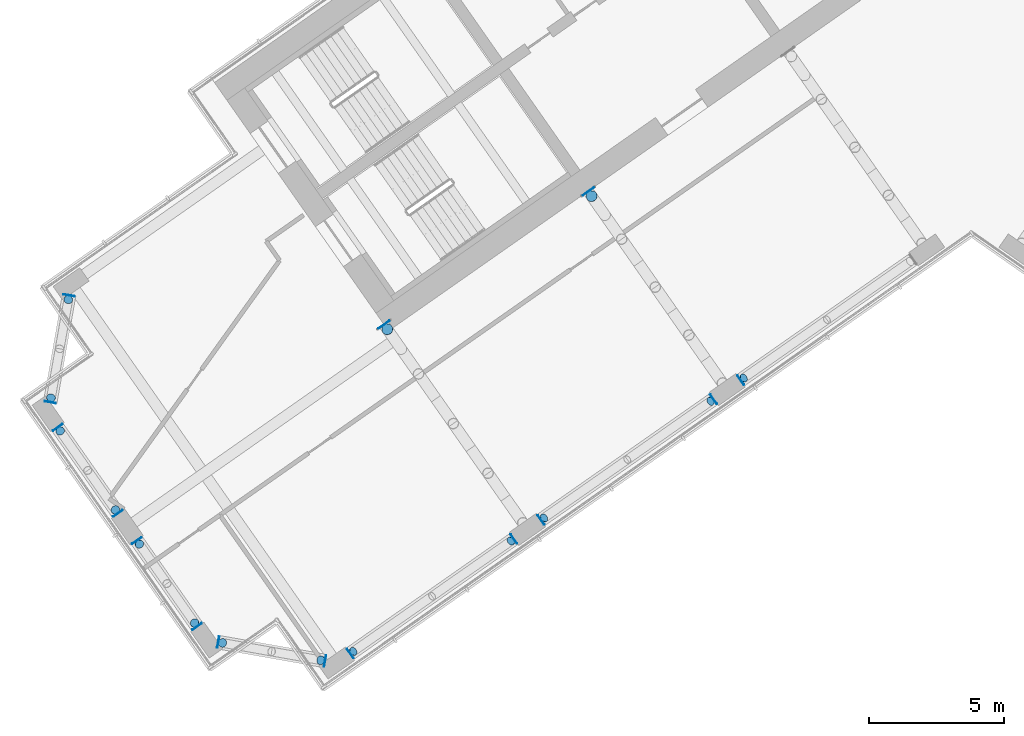
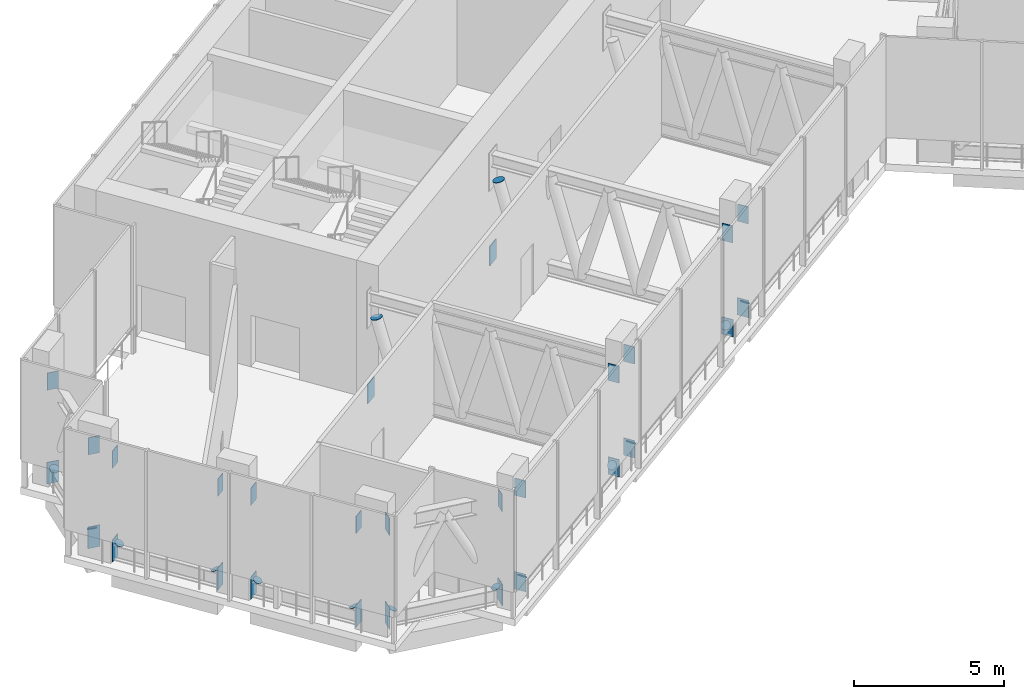
# One storey, part 9 of 19: 43 discrete accessories.
"""IFC4 building model written with IfcOpenShell, lengths in metres."""

from ifc_helpers import new_model, si_unit, direction, frame, origin, origin_2d, place, context, subcontext, project, spatial, rectangle, circle, extrude, material, layer, layer_set, material_profile, profile_set, type_object, element, save


model = new_model("IFC4")

# Units and contexts
model_context = context("Model", 3, precision=1e-05, world=origin(), true_north=direction((0.0, 1.0)))
body_context = subcontext(model_context, "Body", "Model", "MODEL_VIEW")
ifc_project = project(units=[si_unit("LENGTHUNIT", "METRE"), si_unit("AREAUNIT", "SQUARE_METRE"), si_unit("VOLUMEUNIT", "CUBIC_METRE"), si_unit("PLANEANGLEUNIT", "RADIAN"), si_unit("MASSUNIT", "GRAM", prefix="KILO")], contexts=[model_context])

# Site, building, storey
site_placement = place(None, origin())
site = spatial("IfcSite", under=ifc_project, at=site_placement, CompositionType="ELEMENT")
building_placement = place(site_placement, origin())
building = spatial("IfcBuilding", under=site, at=building_placement, Name="Tel Ilan Convention Tower", CompositionType="ELEMENT")
storey_placement = place(building_placement, frame((0.0, 0.0, 213.89990234375)))
storey = spatial("IfcBuildingStorey", under=building, at=storey_placement, Name="L50", CompositionType="ELEMENT", Elevation=213.89990234375)

# Discrete accessories
ifc_material_1 = material(Name="Steel S355", Category="steel")
ifc_layer_1 = layer(ifc_material_1, 0.030029296875)
ifc_layer_set_1 = layer_set([ifc_layer_1], Name="Cast-in Plate 30 mm Steel S355")
discrete_accessory_type_1 = type_object("IfcDiscreteAccessoryType", Name="Cast-in Plate 30 mm Steel S355", PredefinedType="ANCHORPLATE", material=ifc_layer_set_1)
for number, where, z_axis, x_axis, name in (
    (1, (-14.16259765625, -11.15576171875, -0.0498046875), (0.0, 0.0, 1.0), (-0.573576436351, 0.819152044289, 0.0), "L50 W-F2 outrigger cast-in plate"),
    (2, (-21.70703125, -16.072265625, -0.0498046875), (0.0, 0.0, 1.0), (-0.573576436351, 0.819152044289, 0.0), "L50 W-F3 outrigger cast-in plate"),
):
    element("IfcDiscreteAccessory", number, at=place(storey_placement, frame(where, z_axis=z_axis, x_axis=x_axis)), inside=storey, type_object=discrete_accessory_type_1, Name=name, PredefinedType="ANCHORPLATE", context=body_context, shape_type="SweptSolid", body=[
        extrude(rectangle(XDim=0.030029296875, YDim=0.5, at=origin_2d()), origin(), (0.0, 0.0, 1.0), 0.800048828125),
    ])
ifc_material_2 = material(Name="Steel S355", Category="steel")
ifc_material_profile_1 = material_profile(ifc_material_2, circle(Radius=0.161865234375, at=origin_2d()), Name="End Cap Disc 324 mm Steel S355")
ifc_profile_set_1 = profile_set([ifc_material_profile_1], Name="Steel S355")
discrete_accessory_type_2 = type_object("IfcDiscreteAccessoryType", Name="End Cap Disc 324 mm Steel S355", PredefinedType="BRACKET", material=ifc_profile_set_1)
discrete_accessory_1_placement = place(storey_placement, frame((-8.421142578125, -18.043212890625, 0.49951171875), z_axis=(-0.586019869564, -0.415097407608, -0.695898595108), x_axis=(0.57801734078, -0.816024481102, 0.0)))
element("IfcDiscreteAccessory", 3, at=discrete_accessory_1_placement, inside=storey, type_object=discrete_accessory_type_2, Name="L50 W-F1-W-F2 belt end cap", PredefinedType="BRACKET", context=body_context, shape_type="SweptSolid", body=[
    extrude(circle(Radius=0.161865234375, at=origin_2d()), origin(), (0.0, 0.0, 1.0), 0.02001953125),
])
discrete_accessory_2_placement = place(storey_placement, frame((-9.654296875, -18.906494140625, 0.49951171875), z_axis=(0.588968139066, 0.404915595608, -0.699399665141), x_axis=(-0.566528822887, 0.824041924199, 0.0)))
element("IfcDiscreteAccessory", 4, at=discrete_accessory_2_placement, inside=storey, type_object=discrete_accessory_type_2, Name="L50 W-F2-W-F3 belt end cap", PredefinedType="BRACKET", context=body_context, shape_type="SweptSolid", body=[
    extrude(circle(Radius=0.161865234375, at=origin_2d()), origin(), (0.0, 0.0, 1.0), 0.019775390625),
])
for number, where, z_axis, x_axis, name in (
    (5, (-15.79345703125, -23.205322265625, 0.49951171875), (-0.586019869564, -0.415097407608, -0.695898595108), (0.57801734078, -0.816024481102, 0.0), "L50 W-F2-W-F3 belt end cap"),
    (6, (-17.02880859375, -24.0703125, 0.510498046875), (0.57084084584, 0.400803147079, -0.716587444777), (-0.574630421476, 0.818413024526, 0.0), "L50 W-F3-W-FC belt end cap"),
    (7, (-22.836181640625, -28.13671875, 0.510498046875), (-0.562567508496, -0.403581038704, -0.721553978288), (0.582907875452, -0.81253825063, 0.0), "L50 W-F3-W-FC belt end cap"),
):
    element("IfcDiscreteAccessory", number, at=place(storey_placement, frame(where, z_axis=z_axis, x_axis=x_axis)), inside=storey, type_object=discrete_accessory_type_2, Name=name, PredefinedType="BRACKET", context=body_context, shape_type="SweptSolid", body=[
        extrude(circle(Radius=0.161865234375, at=origin_2d()), origin(), (0.0, 0.0, 1.0), 0.02001953125),
    ])
discrete_accessory_3_placement = place(storey_placement, frame((-24.04736328125, -28.46533203125, 0.686767578125), z_axis=(0.460074051118, -0.084750483101, -0.883826466622), x_axis=(0.181162429477, 0.983453188589, 0.0)))
element("IfcDiscreteAccessory", 8, at=discrete_accessory_3_placement, inside=storey, type_object=discrete_accessory_type_2, Name="L50 W-FC-W-E1 belt end cap", PredefinedType="BRACKET", context=body_context, shape_type="SweptSolid", body=[
    extrude(circle(Radius=0.161865234375, at=origin_2d()), origin(), (0.0, 0.0, 1.0), 0.020263671875),
])
for number, where, z_axis, x_axis, name in (
    (9, (-27.6669921875, -27.8271484375, 0.686767578125), (-0.450449769467, 0.085220226656, -0.888725220839), (-0.185891668105, -0.982570245697, 0.0), "L50 W-FC-W-E1 belt end cap"),
    (10, (-28.7060546875, -27.085205078125, 0.699462890625), (0.257132147989, -0.367331639984, -0.89384032396), (0.819231920519, 0.573462344363, 0.0), "L50 W-E1-W-E2 belt end cap"),
    (11, (-30.73828125, -24.1826171875, 0.699462890625), (-0.267300692978, 0.376650976469, -0.886952299427), (-0.815507144735, -0.578747005941, 0.0), "L50 W-E1-W-E2 belt end cap"),
    (12, (-31.63134765625, -22.907470703125, 0.699462890625), (0.257132147989, -0.367331639984, -0.89384032396), (0.819231920519, 0.573462344363, 0.0), "L50 W-E2-W-E3 belt end cap"),
    (13, (-33.663818359375, -20.0048828125, 0.699462890625), (-0.25596436017, 0.377852150727, -0.889780871066), (-0.827918690488, -0.56084814517, 0.0), "L50 W-E2-W-E3 belt end cap"),
    (14, (-34.005615234375, -18.774658203125, 0.686767578125), (-0.0731163822, -0.4508843569, -0.889582650099), (0.987105477748, -0.160071158554, 0.0), "L50 W-E3-W-BC belt end cap"),
    (15, (-33.367431640625, -15.155029296875, 0.686767578125), (0.085220226656, 0.450449769467, -0.888725220839), (-0.982570245697, 0.185891668105, 0.0), "L50 W-E3-W-BC belt end cap"),
):
    element("IfcDiscreteAccessory", number, at=place(storey_placement, frame(where, z_axis=z_axis, x_axis=x_axis)), inside=storey, type_object=discrete_accessory_type_2, Name=name, PredefinedType="BRACKET", context=body_context, shape_type="SweptSolid", body=[
        extrude(circle(Radius=0.161865234375, at=origin_2d()), origin(), (0.0, 0.0, 1.0), 0.02001953125),
    ])
ifc_material_3 = material(Name="Steel S355", Category="steel")
ifc_material_profile_2 = material_profile(ifc_material_3, circle(Radius=0.203125, at=origin_2d()), Name="End Cap Disc 406 mm Steel S355")
ifc_profile_set_2 = profile_set([ifc_material_profile_2], Name="Steel S355")
discrete_accessory_type_3 = type_object("IfcDiscreteAccessoryType", Name="End Cap Disc 406 mm Steel S355", PredefinedType="BRACKET", material=ifc_profile_set_2)
for number, where, z_axis, x_axis, name in (
    (16, (-14.038818359375, -11.332763671875, 3.35400390625), (-0.146504967391, 0.219757451087, 0.964491035325), (-0.832050294338, -0.554700196225, 0.0), "L50 W-F2 outrigger end cap"),
    (17, (-21.583251953125, -16.248779296875, 3.382568359375), (-0.1584188281, 0.2193491466, 0.962699032299), (-0.8106792284, -0.585490553844, 0.0), "L50 W-F3 outrigger end cap"),
):
    element("IfcDiscreteAccessory", number, at=place(storey_placement, frame(where, z_axis=z_axis, x_axis=x_axis)), inside=storey, type_object=discrete_accessory_type_3, Name=name, PredefinedType="BRACKET", context=body_context, shape_type="SweptSolid", body=[
        extrude(circle(Radius=0.203125, at=origin_2d()), origin(), (0.0, 0.0, 1.0), 0.02001953125),
    ])
ifc_material_4 = material(Name="Steel S355", Category="steel")
ifc_layer_2 = layer(ifc_material_4, 0.02490234375)
ifc_layer_set_2 = layer_set([ifc_layer_2], Name="End Plate 25 mm Steel S355")
discrete_accessory_type_4 = type_object("IfcDiscreteAccessoryType", Name="End Plate 25 mm Steel S355", PredefinedType="BRACKET", material=ifc_layer_set_2)
discrete_accessory_4_placement = place(storey_placement, frame((-8.535888671875, -18.12353515625, 0.0), z_axis=(0.0, 0.0, 1.0), x_axis=(-0.819152044289, -0.573576436351, 0.0)))
element("IfcDiscreteAccessory", 18, at=discrete_accessory_4_placement, inside=storey, type_object=discrete_accessory_type_4, Name="L50 W-F1-W-F2 belt end plate", PredefinedType="BRACKET", context=body_context, shape_type="SweptSolid", body=[
    extrude(rectangle(XDim=0.02490234375, YDim=0.423828125, at=origin_2d()), origin(), (0.0, 0.0, 1.0), 0.699951171875),
])
discrete_accessory_5_placement = place(storey_placement, frame((-8.535888671875, -18.12353515625, 3.8203125), z_axis=(0.0, 0.0, 1.0), x_axis=(-0.819152044289, -0.573576436351, 0.0)))
element("IfcDiscreteAccessory", 19, at=discrete_accessory_5_placement, inside=storey, type_object=discrete_accessory_type_4, Name="L50 W-F1-W-F2 belt end plate", PredefinedType="BRACKET", context=body_context, shape_type="SweptSolid", body=[
    extrude(rectangle(XDim=0.02490234375, YDim=0.39990234375, at=origin_2d()), origin(), (0.0, 0.0, 1.0), 0.699951171875),
])
discrete_accessory_6_placement = place(storey_placement, frame((-15.908203125, -23.285888671875, 0.0), z_axis=(0.0, 0.0, 1.0), x_axis=(-0.819152044289, -0.573576436351, 0.0)))
element("IfcDiscreteAccessory", 20, at=discrete_accessory_6_placement, inside=storey, type_object=discrete_accessory_type_4, Name="L50 W-F2-W-F3 belt end plate", PredefinedType="BRACKET", context=body_context, shape_type="SweptSolid", body=[
    extrude(rectangle(XDim=0.02490234375, YDim=0.423828125, at=origin_2d()), origin(), (0.0, 0.0, 1.0), 0.699951171875),
])
discrete_accessory_7_placement = place(storey_placement, frame((-15.908203125, -23.285888671875, 3.8203125), z_axis=(0.0, 0.0, 1.0), x_axis=(-0.819152044289, -0.573576436351, 0.0)))
element("IfcDiscreteAccessory", 21, at=discrete_accessory_7_placement, inside=storey, type_object=discrete_accessory_type_4, Name="L50 W-F2-W-F3 belt end plate", PredefinedType="BRACKET", context=body_context, shape_type="SweptSolid", body=[
    extrude(rectangle(XDim=0.02490234375, YDim=0.39990234375, at=origin_2d()), origin(), (0.0, 0.0, 1.0), 0.699951171875),
])
discrete_accessory_8_placement = place(storey_placement, frame((-9.539306640625, -18.826416015625, 0.0), z_axis=(0.0, 0.0, 1.0), x_axis=(0.819152044289, 0.573576436351, 0.0)))
element("IfcDiscreteAccessory", 22, at=discrete_accessory_8_placement, inside=storey, type_object=discrete_accessory_type_4, Name="L50 W-F2-W-F3 belt end plate", PredefinedType="BRACKET", context=body_context, shape_type="SweptSolid", body=[
    extrude(rectangle(XDim=0.02490234375, YDim=0.423828125, at=origin_2d()), origin(), (0.0, 0.0, 1.0), 0.699951171875),
])
discrete_accessory_9_placement = place(storey_placement, frame((-9.539306640625, -18.826416015625, 3.8203125), z_axis=(0.0, 0.0, 1.0), x_axis=(0.819152044289, 0.573576436351, 0.0)))
element("IfcDiscreteAccessory", 23, at=discrete_accessory_9_placement, inside=storey, type_object=discrete_accessory_type_4, Name="L50 W-F2-W-F3 belt end plate", PredefinedType="BRACKET", context=body_context, shape_type="SweptSolid", body=[
    extrude(rectangle(XDim=0.02490234375, YDim=0.39990234375, at=origin_2d()), origin(), (0.0, 0.0, 1.0), 0.699951171875),
])
discrete_accessory_10_placement = place(storey_placement, frame((-22.952880859375, -28.218505859375, 0.0), z_axis=(0.0, 0.0, 1.0), x_axis=(-0.819152044289, -0.573576436351, 0.0)))
element("IfcDiscreteAccessory", 24, at=discrete_accessory_10_placement, inside=storey, type_object=discrete_accessory_type_4, Name="L50 W-F3-W-FC belt end plate", PredefinedType="BRACKET", context=body_context, shape_type="SweptSolid", body=[
    extrude(rectangle(XDim=0.02490234375, YDim=0.423828125, at=origin_2d()), origin(), (0.0, 0.0, 1.0), 0.7080078125),
])
discrete_accessory_11_placement = place(storey_placement, frame((-22.952880859375, -28.218505859375, 3.8203125), z_axis=(0.0, 0.0, 1.0), x_axis=(-0.819152044289, -0.573576436351, 0.0)))
element("IfcDiscreteAccessory", 25, at=discrete_accessory_11_placement, inside=storey, type_object=discrete_accessory_type_4, Name="L50 W-F3-W-FC belt end plate", PredefinedType="BRACKET", context=body_context, shape_type="SweptSolid", body=[
    extrude(rectangle(XDim=0.02490234375, YDim=0.39990234375, at=origin_2d()), origin(), (0.0, 0.0, 1.0), 0.699951171875),
])
discrete_accessory_12_placement = place(storey_placement, frame((-16.911865234375, -23.98828125, 0.0), z_axis=(0.0, 0.0, 1.0), x_axis=(0.819152044289, 0.573576436351, 0.0)))
element("IfcDiscreteAccessory", 26, at=discrete_accessory_12_placement, inside=storey, type_object=discrete_accessory_type_4, Name="L50 W-F3-W-FC belt end plate", PredefinedType="BRACKET", context=body_context, shape_type="SweptSolid", body=[
    extrude(rectangle(XDim=0.02490234375, YDim=0.423828125, at=origin_2d()), origin(), (0.0, 0.0, 1.0), 0.7080078125),
])
discrete_accessory_13_placement = place(storey_placement, frame((-16.911865234375, -23.98828125, 3.8203125), z_axis=(0.0, 0.0, 1.0), x_axis=(0.819152044289, 0.573576436351, 0.0)))
element("IfcDiscreteAccessory", 27, at=discrete_accessory_13_placement, inside=storey, type_object=discrete_accessory_type_4, Name="L50 W-F3-W-FC belt end plate", PredefinedType="BRACKET", context=body_context, shape_type="SweptSolid", body=[
    extrude(rectangle(XDim=0.02490234375, YDim=0.39990234375, at=origin_2d()), origin(), (0.0, 0.0, 1.0), 0.699951171875),
])
discrete_accessory_14_placement = place(storey_placement, frame((-27.82958984375, -27.798583984375, 0.0), z_axis=(0.0, 0.0, 1.0), x_axis=(-0.984807753012, 0.173648177667, 0.0)))
element("IfcDiscreteAccessory", 28, at=discrete_accessory_14_placement, inside=storey, type_object=discrete_accessory_type_4, Name="L50 W-FC-W-E1 belt end plate", PredefinedType="BRACKET", context=body_context, shape_type="SweptSolid", body=[
    extrude(rectangle(XDim=0.02490234375, YDim=0.423828125, at=origin_2d()), origin(), (0.0, 0.0, 1.0), 0.880859375),
])
discrete_accessory_15_placement = place(storey_placement, frame((-27.82958984375, -27.798583984375, 3.8203125), z_axis=(0.0, 0.0, 1.0), x_axis=(-0.984807753012, 0.173648177667, 0.0)))
element("IfcDiscreteAccessory", 29, at=discrete_accessory_15_placement, inside=storey, type_object=discrete_accessory_type_4, Name="L50 W-FC-W-E1 belt end plate", PredefinedType="BRACKET", context=body_context, shape_type="SweptSolid", body=[
    extrude(rectangle(XDim=0.02490234375, YDim=0.39990234375, at=origin_2d()), origin(), (0.0, 0.0, 1.0), 0.699951171875),
])
discrete_accessory_16_placement = place(storey_placement, frame((-23.885009765625, -28.493896484375, 0.0), z_axis=(0.0, 0.0, 1.0), x_axis=(0.984807753012, -0.173648177667, 0.0)))
element("IfcDiscreteAccessory", 30, at=discrete_accessory_16_placement, inside=storey, type_object=discrete_accessory_type_4, Name="L50 W-FC-W-E1 belt end plate", PredefinedType="BRACKET", context=body_context, shape_type="SweptSolid", body=[
    extrude(rectangle(XDim=0.02490234375, YDim=0.423828125, at=origin_2d()), origin(), (0.0, 0.0, 1.0), 0.880859375),
])
discrete_accessory_17_placement = place(storey_placement, frame((-23.885009765625, -28.493896484375, 3.8203125), z_axis=(0.0, 0.0, 1.0), x_axis=(0.984807753012, -0.173648177667, 0.0)))
element("IfcDiscreteAccessory", 31, at=discrete_accessory_17_placement, inside=storey, type_object=discrete_accessory_type_4, Name="L50 W-FC-W-E1 belt end plate", PredefinedType="BRACKET", context=body_context, shape_type="SweptSolid", body=[
    extrude(rectangle(XDim=0.02490234375, YDim=0.39990234375, at=origin_2d()), origin(), (0.0, 0.0, 1.0), 0.699951171875),
])
discrete_accessory_18_placement = place(storey_placement, frame((-30.83349609375, -24.046630859375, 0.0), z_axis=(0.0, 0.0, 1.0), x_axis=(-0.573576436351, 0.819152044289, 0.0)))
element("IfcDiscreteAccessory", 32, at=discrete_accessory_18_placement, inside=storey, type_object=discrete_accessory_type_4, Name="L50 W-E1-W-E2 belt end plate", PredefinedType="BRACKET", context=body_context, shape_type="SweptSolid", body=[
    extrude(rectangle(XDim=0.02490234375, YDim=0.423828125, at=origin_2d()), origin(), (0.0, 0.0, 1.0), 0.8935546875),
])
discrete_accessory_19_placement = place(storey_placement, frame((-30.83349609375, -24.046630859375, 3.8203125), z_axis=(0.0, 0.0, 1.0), x_axis=(-0.573576436351, 0.819152044289, 0.0)))
element("IfcDiscreteAccessory", 33, at=discrete_accessory_19_placement, inside=storey, type_object=discrete_accessory_type_4, Name="L50 W-E1-W-E2 belt end plate", PredefinedType="BRACKET", context=body_context, shape_type="SweptSolid", body=[
    extrude(rectangle(XDim=0.02490234375, YDim=0.39990234375, at=origin_2d()), origin(), (0.0, 0.0, 1.0), 0.699951171875),
])
discrete_accessory_20_placement = place(storey_placement, frame((-28.611083984375, -27.220947265625, 0.0), z_axis=(0.0, 0.0, 1.0), x_axis=(0.573576436351, -0.819152044289, 0.0)))
element("IfcDiscreteAccessory", 34, at=discrete_accessory_20_placement, inside=storey, type_object=discrete_accessory_type_4, Name="L50 W-E1-W-E2 belt end plate", PredefinedType="BRACKET", context=body_context, shape_type="SweptSolid", body=[
    extrude(rectangle(XDim=0.02490234375, YDim=0.423828125, at=origin_2d()), origin(), (0.0, 0.0, 1.0), 0.8935546875),
])
discrete_accessory_21_placement = place(storey_placement, frame((-28.611083984375, -27.220947265625, 3.8203125), z_axis=(0.0, 0.0, 1.0), x_axis=(0.573576436351, -0.819152044289, 0.0)))
element("IfcDiscreteAccessory", 35, at=discrete_accessory_21_placement, inside=storey, type_object=discrete_accessory_type_4, Name="L50 W-E1-W-E2 belt end plate", PredefinedType="BRACKET", context=body_context, shape_type="SweptSolid", body=[
    extrude(rectangle(XDim=0.02490234375, YDim=0.39990234375, at=origin_2d()), origin(), (0.0, 0.0, 1.0), 0.699951171875),
])
discrete_accessory_22_placement = place(storey_placement, frame((-33.7587890625, -19.868896484375, 0.0), z_axis=(0.0, 0.0, 1.0), x_axis=(-0.573576436351, 0.819152044289, 0.0)))
element("IfcDiscreteAccessory", 36, at=discrete_accessory_22_placement, inside=storey, type_object=discrete_accessory_type_4, Name="L50 W-E2-W-E3 belt end plate", PredefinedType="BRACKET", context=body_context, shape_type="SweptSolid", body=[
    extrude(rectangle(XDim=0.02490234375, YDim=0.423828125, at=origin_2d()), origin(), (0.0, 0.0, 1.0), 0.8935546875),
])
discrete_accessory_23_placement = place(storey_placement, frame((-33.7587890625, -19.868896484375, 3.8203125), z_axis=(0.0, 0.0, 1.0), x_axis=(-0.573576436351, 0.819152044289, 0.0)))
element("IfcDiscreteAccessory", 37, at=discrete_accessory_23_placement, inside=storey, type_object=discrete_accessory_type_4, Name="L50 W-E2-W-E3 belt end plate", PredefinedType="BRACKET", context=body_context, shape_type="SweptSolid", body=[
    extrude(rectangle(XDim=0.02490234375, YDim=0.39990234375, at=origin_2d()), origin(), (0.0, 0.0, 1.0), 0.699951171875),
])
discrete_accessory_24_placement = place(storey_placement, frame((-31.5361328125, -23.043212890625, 0.0), z_axis=(0.0, 0.0, 1.0), x_axis=(0.573576436351, -0.819152044289, 0.0)))
element("IfcDiscreteAccessory", 38, at=discrete_accessory_24_placement, inside=storey, type_object=discrete_accessory_type_4, Name="L50 W-E2-W-E3 belt end plate", PredefinedType="BRACKET", context=body_context, shape_type="SweptSolid", body=[
    extrude(rectangle(XDim=0.02490234375, YDim=0.423828125, at=origin_2d()), origin(), (0.0, 0.0, 1.0), 0.8935546875),
])
discrete_accessory_25_placement = place(storey_placement, frame((-31.5361328125, -23.043212890625, 3.8203125), z_axis=(0.0, 0.0, 1.0), x_axis=(0.573576436351, -0.819152044289, 0.0)))
element("IfcDiscreteAccessory", 39, at=discrete_accessory_25_placement, inside=storey, type_object=discrete_accessory_type_4, Name="L50 W-E2-W-E3 belt end plate", PredefinedType="BRACKET", context=body_context, shape_type="SweptSolid", body=[
    extrude(rectangle(XDim=0.02490234375, YDim=0.39990234375, at=origin_2d()), origin(), (0.0, 0.0, 1.0), 0.699951171875),
])
discrete_accessory_26_placement = place(storey_placement, frame((-34.0341796875, -18.937255859375, 0.0), z_axis=(0.0, 0.0, 1.0), x_axis=(-0.173648177667, -0.984807753012, 0.0)))
element("IfcDiscreteAccessory", 40, at=discrete_accessory_26_placement, inside=storey, type_object=discrete_accessory_type_4, Name="L50 W-E3-W-BC belt end plate", PredefinedType="BRACKET", context=body_context, shape_type="SweptSolid", body=[
    extrude(rectangle(XDim=0.02490234375, YDim=0.423828125, at=origin_2d()), origin(), (0.0, 0.0, 1.0), 0.880859375),
])
discrete_accessory_27_placement = place(storey_placement, frame((-34.0341796875, -18.937255859375, 3.8203125), z_axis=(0.0, 0.0, 1.0), x_axis=(-0.173648177667, -0.984807753012, 0.0)))
element("IfcDiscreteAccessory", 41, at=discrete_accessory_27_placement, inside=storey, type_object=discrete_accessory_type_4, Name="L50 W-E3-W-BC belt end plate", PredefinedType="BRACKET", context=body_context, shape_type="SweptSolid", body=[
    extrude(rectangle(XDim=0.02490234375, YDim=0.39990234375, at=origin_2d()), origin(), (0.0, 0.0, 1.0), 0.699951171875),
])
discrete_accessory_28_placement = place(storey_placement, frame((-33.338623046875, -14.992431640625, 0.0), z_axis=(0.0, 0.0, 1.0), x_axis=(0.173648177667, 0.984807753012, 0.0)))
element("IfcDiscreteAccessory", 42, at=discrete_accessory_28_placement, inside=storey, type_object=discrete_accessory_type_4, Name="L50 W-E3-W-BC belt end plate", PredefinedType="BRACKET", context=body_context, shape_type="SweptSolid", body=[
    extrude(rectangle(XDim=0.02490234375, YDim=0.423828125, at=origin_2d()), origin(), (0.0, 0.0, 1.0), 0.880859375),
])
discrete_accessory_29_placement = place(storey_placement, frame((-33.338623046875, -14.992431640625, 3.8203125), z_axis=(0.0, 0.0, 1.0), x_axis=(0.173648177667, 0.984807753012, 0.0)))
element("IfcDiscreteAccessory", 43, at=discrete_accessory_29_placement, inside=storey, type_object=discrete_accessory_type_4, Name="L50 W-E3-W-BC belt end plate", PredefinedType="BRACKET", context=body_context, shape_type="SweptSolid", body=[
    extrude(rectangle(XDim=0.02490234375, YDim=0.39990234375, at=origin_2d()), origin(), (0.0, 0.0, 1.0), 0.699951171875),
])

save(model, "model.ifc")
